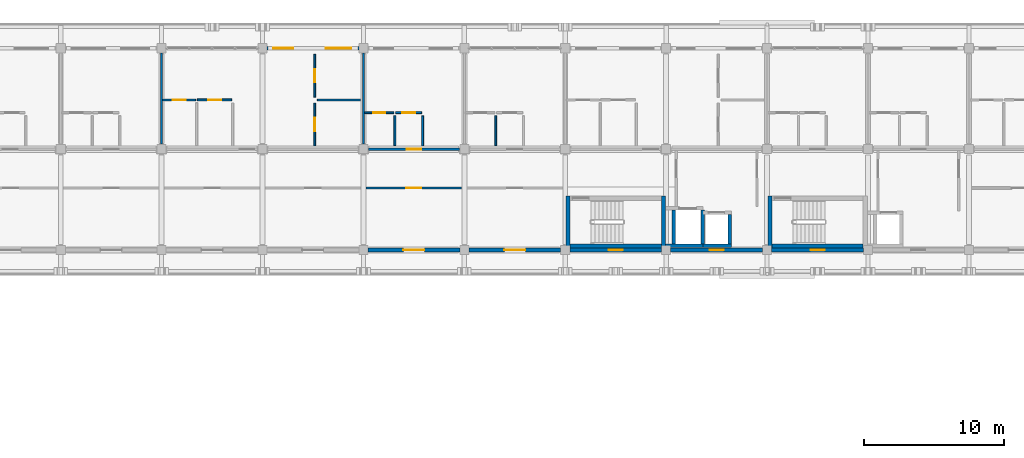
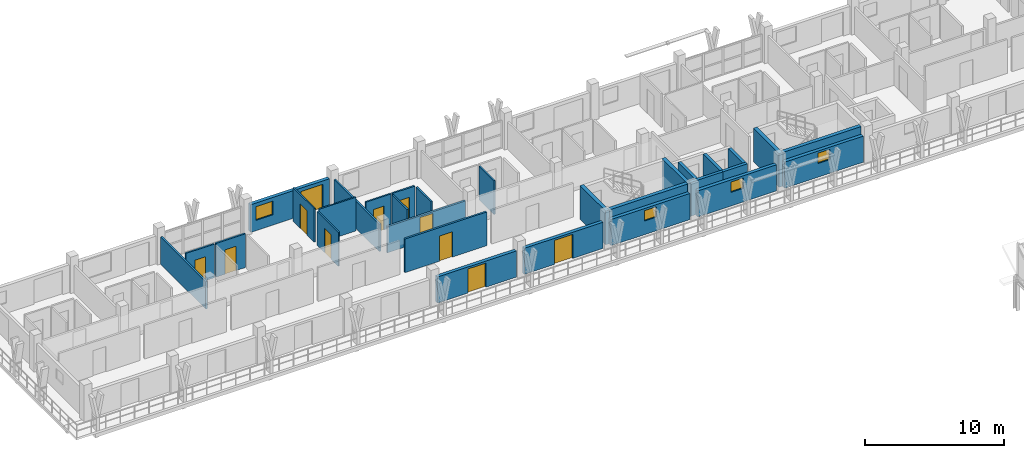
# One storey, part 121 of 157: 30 walls, 11 doors, 4 windows, 15 openings.
"""IFC4 building model written with IfcOpenShell, lengths in metres."""

from ifc_helpers import new_model, si_unit, direction, frame, frame_2d, origin, place, context, subcontext, project, spatial, rectangle, extrude, material, layer, layer_set, type_object, element, fill, save


model = new_model("IFC4")

# Units and contexts
model_context = context("Model", 3, precision=1e-05, world=origin(), true_north=direction((0.0, 1.0)))
body_context = subcontext(model_context, "Body", "Model", "MODEL_VIEW")
ifc_project = project(units=[si_unit("LENGTHUNIT", "METRE"), si_unit("AREAUNIT", "SQUARE_METRE"), si_unit("VOLUMEUNIT", "CUBIC_METRE"), si_unit("PLANEANGLEUNIT", "RADIAN"), si_unit("MASSUNIT", "GRAM", prefix="KILO")], contexts=[model_context])

# Site, building, storey
site_placement = place(None, origin())
site = spatial("IfcSite", under=ifc_project, at=site_placement, CompositionType="ELEMENT")
building_placement = place(site_placement, origin())
building = spatial("IfcBuilding", under=site, at=building_placement, Name="Suanplinth Sawtooth Commons", CompositionType="ELEMENT")
storey_placement = place(building_placement, frame((0.0, 0.0, 9.0)))
storey = spatial("IfcBuildingStorey", under=building, at=storey_placement, Name="L02", CompositionType="ELEMENT", Elevation=9.0)

# Walls
ifc_material_1 = material(Name="Concrete C40/50", Category="concrete")
ifc_layer_1 = layer(ifc_material_1, 0.300048828125, Name="Standard RC stair and lift core wall 300mm")
ifc_layer_set_1 = layer_set([ifc_layer_1], Name="Concrete C40/50")
wall_type_1 = type_object("IfcWallType", Name="W-CR02", PredefinedType="SHEAR", material=ifc_layer_set_1)
wall_1_placement = place(storey_placement, frame((43.550048828125, 108.300048828125, 0.0), z_axis=(0.0, 0.0, 1.0), x_axis=(1.0, 0.0, 0.0)))
element("IfcWall", 1, at=wall_1_placement, inside=storey, type_object=wall_type_1, Name="W-L02-C-A1-STS", PredefinedType="SHEAR", context=body_context, shape_type="SweptSolid", body=[
    extrude(rectangle(XDim=6.5, YDim=0.300048828125, at=frame_2d((3.25, 0.0))), origin(), (0.0, 0.0, 1.0), 2.9599609375),
])
for number, where, z_axis, x_axis, name in (
    (2, (43.39990234375, 108.14990234375, 0.0), (0.0, 0.0, 1.0), (0.0, 1.0, 0.0), "W-L02-C-A1-STW"),
    (3, (50.199951171875, 108.14990234375, 0.0), (0.0, 0.0, 1.0), (0.0, 1.0, 0.0), "W-L02-C-A1-STE"),
):
    element("IfcWall", number, at=place(storey_placement, frame(where, z_axis=z_axis, x_axis=x_axis)), inside=storey, type_object=wall_type_1, Name=name, PredefinedType="SHEAR", context=body_context, shape_type="SweptSolid", body=[
        extrude(rectangle(XDim=3.7001953125, YDim=0.300048828125, at=frame_2d((1.85009765625, 0.0))), origin(), (0.0, 0.0, 1.0), 2.9599609375),
    ])
wall_2_placement = place(storey_placement, frame((57.949951171875, 108.300048828125, 0.0), z_axis=(0.0, 0.0, 1.0), x_axis=(1.0, 0.0, 0.0)))
element("IfcWall", 4, at=wall_2_placement, inside=storey, type_object=wall_type_1, Name="W-L02-C-A2-STS", PredefinedType="SHEAR", context=body_context, shape_type="SweptSolid", body=[
    extrude(rectangle(XDim=6.5, YDim=0.300048828125, at=frame_2d((3.25, 0.0))), origin(), (0.0, 0.0, 1.0), 2.9599609375),
])
wall_3_placement = place(storey_placement, frame((57.800048828125, 108.14990234375, 0.0), z_axis=(0.0, 0.0, 1.0), x_axis=(0.0, 1.0, 0.0)))
element("IfcWall", 5, at=wall_3_placement, inside=storey, type_object=wall_type_1, Name="W-L02-C-A2-STW", PredefinedType="SHEAR", context=body_context, shape_type="SweptSolid", body=[
    extrude(rectangle(XDim=3.7001953125, YDim=0.300048828125, at=frame_2d((1.85009765625, 0.0))), origin(), (0.0, 0.0, 1.0), 2.9599609375),
])

# Wall, openings, door, window
ifc_material_2 = material(Name="Precast concrete C40/50", Category="concrete")
ifc_layer_2 = layer(ifc_material_2, 0.280029296875, Name="Insulated precast architectural facade wall 280mm")
ifc_layer_set_2 = layer_set([ifc_layer_2], Name="Precast concrete C40/50")
wall_type_2 = type_object("IfcWallType", Name="W-EX01", PredefinedType="ELEMENTEDWALL", material=ifc_layer_set_2)
wall_4_placement = place(storey_placement, frame((21.925048828125, 122.39990234375, 0.0), z_axis=(0.0, 0.0, 1.0), x_axis=(1.0, 0.0, 0.0)))
wall_4 = element("IfcWall", 6, at=wall_4_placement, inside=storey, type_object=wall_type_2, Name="Facade Wall W-L02-A-N-3", PredefinedType="ELEMENTEDWALL", context=body_context, shape_type="SweptSolid", body=[
    extrude(rectangle(XDim=6.550048828125, YDim=0.280029296875, at=frame_2d((3.27490234375, 0.0))), origin(), (0.0, 0.0, 1.0), 2.425048828125),
])
opening_1_placement = place(wall_4_placement, frame((4.199951171875, 0.0, 0.0)))
opening_1 = element("IfcOpeningElement", 7, at=opening_1_placement, cuts=wall_4, Name="Opening ED0134", PredefinedType="OPENING", context=body_context, shape_type="SweptSolid", body=[
    extrude(rectangle(XDim=1.800048828125, YDim=2.1201171875, at=frame_2d((0.89990234375, 1.06005859375))), frame((0.0, 0.15478515625, 0.0), z_axis=(0.0, -1.0, 0.0), x_axis=(1.0, 0.0, 0.0)), (0.0, 0.0, 1.0), 0.309814453125),
])
opening_2_placement = place(wall_4_placement, frame((0.449951171875, 0.0, 0.89990234375)))
opening_2 = element("IfcOpeningElement", 8, at=opening_2_placement, cuts=wall_4, Name="Opening W0252", PredefinedType="OPENING", context=body_context, shape_type="SweptSolid", body=[
    extrude(rectangle(XDim=1.39990234375, YDim=1.199951171875, at=frame_2d((0.699951171875, 0.60009765625))), frame((0.0, 0.15478515625, 0.0), z_axis=(0.0, -1.0, 0.0), x_axis=(1.0, 0.0, 0.0)), (0.0, 0.0, 1.0), 0.309814453125),
])
ifc_material_3 = material(Name="Anodized aluminium and low-E glass", Category="aluminium")
door_type_1 = type_object("IfcDoorType", Name="SD-01", OperationType="SLIDING_TO_LEFT", PredefinedType="DOOR", material=ifc_material_3)
door_1_placement = place(opening_1_placement, frame((1.800048828125, 0.0, 0.0), z_axis=(0.0, 0.0, 1.0), x_axis=(-1.0, 0.0, 0.0)))
door_1 = element("IfcDoor", 9, at=door_1_placement, inside=storey, type_object=door_type_1, Name="Balcony Sliding Door L02-A-N-3", OperationType="SLIDING_TO_LEFT", OverallHeight=2.1201171875, OverallWidth=1.800048828125, PredefinedType="DOOR", context=body_context, shape_type="SweptSolid", body=[
    extrude(rectangle(XDim=1.800048828125, YDim=2.1201171875, at=frame_2d((0.89990234375, 1.06005859375))), frame((0.0, 0.02490234375, 0.0), z_axis=(0.0, -1.0, 0.0), x_axis=(1.0, 0.0, 0.0)), (0.0, 0.0, 1.0), 0.050048828125),
])
fill(opening_1, door_1)
ifc_material_4 = material(Name="Thermally broken aluminium and low-E double glazing", Category="aluminium")
window_type_1 = type_object("IfcWindowType", Name="WN-10", PartitioningType="DOUBLE_PANEL_HORIZONTAL", PredefinedType="WINDOW", material=ifc_material_4)
window_1_placement = place(opening_2_placement, origin())
window_1 = element("IfcWindow", 10, at=window_1_placement, inside=storey, type_object=window_type_1, Name="Window L02-A-N-3", OverallHeight=1.199951171875, OverallWidth=1.39990234375, PartitioningType="DOUBLE_PANEL_HORIZONTAL", PredefinedType="WINDOW", context=body_context, shape_type="SweptSolid", body=[
    extrude(rectangle(XDim=1.39990234375, YDim=1.199951171875, at=frame_2d((0.699951171875, 0.60009765625))), frame((0.0, 0.030029296875, 0.0), z_axis=(0.0, -1.0, 0.0), x_axis=(1.0, 0.0, 0.0)), (0.0, 0.0, 1.0), 0.06005859375),
])
fill(opening_2, window_1)

# Wall, opening, door
wall_5_placement = place(storey_placement, frame((29.125, 108.0, 0.0), z_axis=(0.0, 0.0, 1.0), x_axis=(1.0, 0.0, 0.0)))
wall_5 = element("IfcWall", 11, at=wall_5_placement, inside=storey, type_object=wall_type_2, Name="Courtyard Wall W-L02-A-S-4", PredefinedType="ELEMENTEDWALL", context=body_context, shape_type="SweptSolid", body=[
    extrude(rectangle(XDim=6.550048828125, YDim=0.280029296875, at=frame_2d((3.27490234375, 0.0))), origin(), (0.0, 0.0, 1.0), 2.294921875),
])
opening_3_placement = place(wall_5_placement, frame((2.52490234375, 0.0, 0.0)))
opening_3 = element("IfcOpeningElement", 12, at=opening_3_placement, cuts=wall_5, Name="Opening ED0137", PredefinedType="OPENING", context=body_context, shape_type="SweptSolid", body=[
    extrude(rectangle(XDim=1.5, YDim=2.1201171875, at=frame_2d((0.75, 1.06005859375))), frame((0.0, 0.15478515625, 0.0), z_axis=(0.0, -1.0, 0.0), x_axis=(1.0, 0.0, 0.0)), (0.0, 0.0, 1.0), 0.309814453125),
])
door_type_2 = type_object("IfcDoorType", Name="SD-03", OperationType="SLIDING_TO_LEFT", PredefinedType="DOOR", material=ifc_material_3)
door_2_placement = place(opening_3_placement, frame((1.5, 0.0, 0.0), z_axis=(0.0, 0.0, 1.0), x_axis=(-1.0, 0.0, 0.0)))
door_2 = element("IfcDoor", 13, at=door_2_placement, inside=storey, type_object=door_type_2, Name="Courtyard Balcony Sliding Door L02-A-S-4", OperationType="SLIDING_TO_LEFT", OverallHeight=2.1201171875, OverallWidth=1.5, PredefinedType="DOOR", context=body_context, shape_type="SweptSolid", body=[
    extrude(rectangle(XDim=1.5, YDim=2.1201171875, at=frame_2d((0.75, 1.06005859375))), frame((0.0, 0.02490234375, 0.0), z_axis=(0.0, -1.0, 0.0), x_axis=(1.0, 0.0, 0.0)), (0.0, 0.0, 1.0), 0.050048828125),
])
fill(opening_3, door_2)

wall_6_placement = place(storey_placement, frame((36.324951171875, 108.0, 0.0), z_axis=(0.0, 0.0, 1.0), x_axis=(1.0, 0.0, 0.0)))
wall_6 = element("IfcWall", 14, at=wall_6_placement, inside=storey, type_object=wall_type_2, Name="Courtyard Wall W-L02-A-S-5", PredefinedType="ELEMENTEDWALL", context=body_context, shape_type="SweptSolid", body=[
    extrude(rectangle(XDim=6.550048828125, YDim=0.280029296875, at=frame_2d((3.27490234375, 0.0))), origin(), (0.0, 0.0, 1.0), 2.294921875),
])
opening_4_placement = place(wall_6_placement, frame((2.52490234375, 0.0, 0.0)))
opening_4 = element("IfcOpeningElement", 15, at=opening_4_placement, cuts=wall_6, Name="Opening ED0138", PredefinedType="OPENING", context=body_context, shape_type="SweptSolid", body=[
    extrude(rectangle(XDim=1.5, YDim=2.1201171875, at=frame_2d((0.75, 1.06005859375))), frame((0.0, 0.15478515625, 0.0), z_axis=(0.0, -1.0, 0.0), x_axis=(1.0, 0.0, 0.0)), (0.0, 0.0, 1.0), 0.309814453125),
])
door_3_placement = place(opening_4_placement, frame((1.5, 0.0, 0.0), z_axis=(0.0, 0.0, 1.0), x_axis=(-1.0, 0.0, 0.0)))
door_3 = element("IfcDoor", 16, at=door_3_placement, inside=storey, type_object=door_type_2, Name="Courtyard Balcony Sliding Door L02-A-S-5", OperationType="SLIDING_TO_LEFT", OverallHeight=2.1201171875, OverallWidth=1.5, PredefinedType="DOOR", context=body_context, shape_type="SweptSolid", body=[
    extrude(rectangle(XDim=1.5, YDim=2.1201171875, at=frame_2d((0.75, 1.06005859375))), frame((0.0, 0.02490234375, 0.0), z_axis=(0.0, -1.0, 0.0), x_axis=(1.0, 0.0, 0.0)), (0.0, 0.0, 1.0), 0.050048828125),
])
fill(opening_4, door_3)

# Wall, opening, window
wall_7_placement = place(storey_placement, frame((43.52490234375, 108.0, 0.0), z_axis=(0.0, 0.0, 1.0), x_axis=(1.0, 0.0, 0.0)))
wall_7 = element("IfcWall", 17, at=wall_7_placement, inside=storey, type_object=wall_type_2, Name="Courtyard Wall W-L02-A-S-6", PredefinedType="ELEMENTEDWALL", context=body_context, shape_type="SweptSolid", body=[
    extrude(rectangle(XDim=6.550048828125, YDim=0.280029296875, at=frame_2d((3.27490234375, 0.0))), origin(), (0.0, 0.0, 1.0), 2.294921875),
])
opening_5_placement = place(wall_7_placement, frame((2.77490234375, 0.0, 1.199951171875)))
opening_5 = element("IfcOpeningElement", 18, at=opening_5_placement, cuts=wall_7, Name="Opening W0255", PredefinedType="OPENING", context=body_context, shape_type="SweptSolid", body=[
    extrude(rectangle(XDim=1.0, YDim=0.89990234375, at=frame_2d((0.5, 0.449951171875))), frame((0.0, 0.15478515625, 0.0), z_axis=(0.0, -1.0, 0.0), x_axis=(1.0, 0.0, 0.0)), (0.0, 0.0, 1.0), 0.309814453125),
])
window_type_2 = type_object("IfcWindowType", Name="WN-12", PartitioningType="SINGLE_PANEL", PredefinedType="WINDOW", material=ifc_material_4)
window_2_placement = place(opening_5_placement, origin())
window_2 = element("IfcWindow", 19, at=window_2_placement, inside=storey, type_object=window_type_2, Name="Core Daylight Window L02-A-6", OverallHeight=0.89990234375, OverallWidth=1.0, PartitioningType="SINGLE_PANEL", PredefinedType="WINDOW", context=body_context, shape_type="SweptSolid", body=[
    extrude(rectangle(XDim=1.0, YDim=0.89990234375, at=frame_2d((0.5, 0.449951171875))), frame((0.0, 0.030029296875, 0.0), z_axis=(0.0, -1.0, 0.0), x_axis=(1.0, 0.0, 0.0)), (0.0, 0.0, 1.0), 0.06005859375),
])
fill(opening_5, window_2)

wall_8_placement = place(storey_placement, frame((50.72509765625, 108.0, 0.0), z_axis=(0.0, 0.0, 1.0), x_axis=(1.0, 0.0, 0.0)))
wall_8 = element("IfcWall", 20, at=wall_8_placement, inside=storey, type_object=wall_type_2, Name="Courtyard Wall W-L02-A-S-7", PredefinedType="ELEMENTEDWALL", context=body_context, shape_type="SweptSolid", body=[
    extrude(rectangle(XDim=6.5498046875, YDim=0.280029296875, at=frame_2d((3.27490234375, 0.0))), origin(), (0.0, 0.0, 1.0), 2.294921875),
])
opening_6_placement = place(wall_8_placement, frame((2.77490234375, 0.0, 1.199951171875)))
opening_6 = element("IfcOpeningElement", 21, at=opening_6_placement, cuts=wall_8, Name="Opening W0257", PredefinedType="OPENING", context=body_context, shape_type="SweptSolid", body=[
    extrude(rectangle(XDim=1.0, YDim=0.89990234375, at=frame_2d((0.5, 0.449951171875))), frame((0.0, 0.15478515625, 0.0), z_axis=(0.0, -1.0, 0.0), x_axis=(1.0, 0.0, 0.0)), (0.0, 0.0, 1.0), 0.309814453125),
])
window_3_placement = place(opening_6_placement, origin())
window_3 = element("IfcWindow", 22, at=window_3_placement, inside=storey, type_object=window_type_2, Name="Core Daylight Window L02-A-7", OverallHeight=0.89990234375, OverallWidth=1.0, PartitioningType="SINGLE_PANEL", PredefinedType="WINDOW", context=body_context, shape_type="SweptSolid", body=[
    extrude(rectangle(XDim=1.0, YDim=0.89990234375, at=frame_2d((0.5, 0.449951171875))), frame((0.0, 0.030029296875, 0.0), z_axis=(0.0, -1.0, 0.0), x_axis=(1.0, 0.0, 0.0)), (0.0, 0.0, 1.0), 0.06005859375),
])
fill(opening_6, window_3)

wall_9_placement = place(storey_placement, frame((57.925048828125, 108.0, 0.0), z_axis=(0.0, 0.0, 1.0), x_axis=(1.0, 0.0, 0.0)))
wall_9 = element("IfcWall", 23, at=wall_9_placement, inside=storey, type_object=wall_type_2, Name="Courtyard Wall W-L02-A-S-8", PredefinedType="ELEMENTEDWALL", context=body_context, shape_type="SweptSolid", body=[
    extrude(rectangle(XDim=6.550048828125, YDim=0.280029296875, at=frame_2d((3.27490234375, 0.0))), origin(), (0.0, 0.0, 1.0), 2.294921875),
])
opening_7_placement = place(wall_9_placement, frame((2.77490234375, 0.0, 1.199951171875)))
opening_7 = element("IfcOpeningElement", 24, at=opening_7_placement, cuts=wall_9, Name="Opening W0258", PredefinedType="OPENING", context=body_context, shape_type="SweptSolid", body=[
    extrude(rectangle(XDim=1.0, YDim=0.89990234375, at=frame_2d((0.5, 0.449951171875))), frame((0.0, 0.15478515625, 0.0), z_axis=(0.0, -1.0, 0.0), x_axis=(1.0, 0.0, 0.0)), (0.0, 0.0, 1.0), 0.309814453125),
])
window_4_placement = place(opening_7_placement, origin())
window_4 = element("IfcWindow", 25, at=window_4_placement, inside=storey, type_object=window_type_2, Name="Core Daylight Window L02-A-8", OverallHeight=0.89990234375, OverallWidth=1.0, PartitioningType="SINGLE_PANEL", PredefinedType="WINDOW", context=body_context, shape_type="SweptSolid", body=[
    extrude(rectangle(XDim=1.0, YDim=0.89990234375, at=frame_2d((0.5, 0.449951171875))), frame((0.0, 0.030029296875, 0.0), z_axis=(0.0, -1.0, 0.0), x_axis=(1.0, 0.0, 0.0)), (0.0, 0.0, 1.0), 0.06005859375),
])
fill(opening_7, window_4)

# Wall, opening, door
ifc_layer_3 = layer(ifc_material_2, 0.159912109375, Name="Fire-rated corridor and lobby wall 160mm")
ifc_layer_set_3 = layer_set([ifc_layer_3], Name="Precast concrete C40/50")
wall_type_3 = type_object("IfcWallType", Name="W-FW01", PredefinedType="PARTITIONING", material=ifc_layer_set_3)
wall_10_placement = place(storey_placement, frame((29.155029296875, 115.199951171875, 0.0), z_axis=(0.0, 0.0, 1.0), x_axis=(1.0, 0.0, 0.0)))
wall_10 = element("IfcWall", 26, at=wall_10_placement, inside=storey, type_object=wall_type_3, Name="W-A-L02-U04-COR", PredefinedType="PARTITIONING", context=body_context, shape_type="SweptSolid", body=[
    extrude(rectangle(XDim=6.489990234375, YDim=0.159912109375, at=frame_2d((3.2451171875, 0.0))), origin(), (0.0, 0.0, 1.0), 2.294921875),
])
opening_8_placement = place(wall_10_placement, frame((2.719970703125, 0.0, 0.0)))
opening_8 = element("IfcOpeningElement", 27, at=opening_8_placement, cuts=wall_10, Name="Opening FD0699", PredefinedType="OPENING", context=body_context, shape_type="SweptSolid", body=[
    extrude(rectangle(XDim=1.050048828125, YDim=2.14990234375, at=frame_2d((0.52490234375, 1.074951171875))), frame((0.0, 0.0947265625, 0.0), z_axis=(0.0, -1.0, 0.0), x_axis=(1.0, 0.0, 0.0)), (0.0, 0.0, 1.0), 0.189697265625),
])
ifc_material_5 = material(Name="Teak hardwood fire-rated door assembly", Category="wood")
door_type_3 = type_object("IfcDoorType", Name="FD-04", OperationType="NOTDEFINED", PredefinedType="DOOR", material=ifc_material_5)
door_4_placement = place(opening_8_placement, origin())
door_4 = element("IfcDoor", 28, at=door_4_placement, inside=storey, type_object=door_type_3, Name="Unit Entrance Door FD0699", OperationType="SINGLE_SWING_LEFT", OverallHeight=2.14990234375, OverallWidth=1.050048828125, PredefinedType="DOOR", context=body_context, shape_type="SweptSolid", body=[
    extrude(rectangle(XDim=1.050048828125, YDim=2.14990234375, at=frame_2d((0.52490234375, 1.074951171875))), frame((0.0, 0.02490234375, 0.0), z_axis=(0.0, -1.0, 0.0), x_axis=(1.0, 0.0, 0.0)), (0.0, 0.0, 1.0), 0.050048828125),
])
fill(opening_8, door_4)

wall_11_placement = place(storey_placement, frame((29.0, 112.419921875, 0.0), z_axis=(0.0, 0.0, 1.0), x_axis=(1.0, 0.0, 0.0)))
wall_11 = element("IfcWall", 29, at=wall_11_placement, inside=storey, type_object=wall_type_3, Name="W-A-L02-COURTROOM-17-COR", PredefinedType="PARTITIONING", context=body_context, shape_type="SweptSolid", body=[
    extrude(rectangle(XDim=6.800048828125, YDim=0.159912109375, at=frame_2d((3.39990234375, 0.0))), origin(), (0.0, 0.0, 1.0), 2.9599609375),
])
opening_9_placement = place(wall_11_placement, frame((2.860107421875, 0.0, 0.0)))
opening_9 = element("IfcOpeningElement", 30, at=opening_9_placement, cuts=wall_11, Name="Opening D0737", PredefinedType="OPENING", context=body_context, shape_type="SweptSolid", body=[
    extrude(rectangle(XDim=1.080078125, YDim=2.219970703125, at=frame_2d((0.5400390625, 1.10986328125))), frame((0.0, 0.0947265625, 0.0), z_axis=(0.0, -1.0, 0.0), x_axis=(1.0, 0.0, 0.0)), (0.0, 0.0, 1.0), 0.189697265625),
])
ifc_material_6 = material(Name="Teak hardwood", Category="wood")
door_type_4 = type_object("IfcDoorType", Name="D-17", OperationType="NOTDEFINED", PredefinedType="DOOR", material=ifc_material_6)
door_5_placement = place(opening_9_placement, frame((1.080078125, 0.0, 0.0), z_axis=(0.0, 0.0, 1.0), x_axis=(-1.0, 0.0, 0.0)))
door_5 = element("IfcDoor", 31, at=door_5_placement, inside=storey, type_object=door_type_4, Name="Study Studio Door D0737", OperationType="SINGLE_SWING_LEFT", OverallHeight=2.219970703125, OverallWidth=1.080078125, PredefinedType="DOOR", context=body_context, shape_type="SweptSolid", body=[
    extrude(rectangle(XDim=1.080078125, YDim=2.219970703125, at=frame_2d((0.5400390625, 1.10986328125))), frame((0.0, 0.02490234375, 0.0), z_axis=(0.0, -1.0, 0.0), x_axis=(1.0, 0.0, 0.0)), (0.0, 0.0, 1.0), 0.050048828125),
])
fill(opening_9, door_5)

# Walls
ifc_layer_4 = layer(ifc_material_2, 0.14990234375, Name="Acoustic precast party demising wall 150mm")
ifc_layer_set_4 = layer_set([ifc_layer_4], Name="Precast concrete C40/50")
wall_type_4 = type_object("IfcWallType", Name="W-FW02", PredefinedType="PARTITIONING", material=ifc_layer_set_4)
for number, where, z_axis, x_axis, name in (
    (32, (14.39990234375, 115.554931640625, 0.0), (0.0, 0.0, 1.0), (0.0, 1.0, 0.0), "W-A-L02-U02-PTY"),
    (33, (28.800048828125, 115.554931640625, 0.0), (0.0, 0.0, 1.0), (0.0, 1.0, 0.0), "W-A-L02-U03-PTY"),
):
    element("IfcWall", number, at=place(storey_placement, frame(where, z_axis=z_axis, x_axis=x_axis)), inside=storey, type_object=wall_type_4, Name=name, PredefinedType="PARTITIONING", context=body_context, shape_type="SweptSolid", body=[
        extrude(rectangle(XDim=6.489990234375, YDim=0.14990234375, at=frame_2d((3.2451171875, 0.0))), origin(), (0.0, 0.0, 1.0), 2.39501953125),
    ])

# Wall, opening, door
ifc_material_7 = material(Name="Gypsum plasterboard on steel stud", Category="steel")
ifc_layer_5 = layer(ifc_material_7, 0.139892578125, Name="Fire-rated kitchen partition 140mm")
ifc_layer_set_5 = layer_set([ifc_layer_5], Name="Gypsum plasterboard on steel stud")
wall_type_5 = type_object("IfcWallType", Name="W-PT01", PredefinedType="PARTITIONING", material=ifc_layer_set_5)
wall_12_placement = place(storey_placement, frame((16.949951171875, 118.7099609375, 0.0), z_axis=(0.0, 0.0, 1.0), x_axis=(1.0, 0.0, 0.0)))
wall_12 = element("IfcWall", 34, at=wall_12_placement, inside=storey, type_object=wall_type_5, Name="W-A-L02-U03-KIT1", PredefinedType="PARTITIONING", context=body_context, shape_type="SweptSolid", body=[
    extrude(rectangle(XDim=2.449951171875, YDim=0.139892578125, at=frame_2d((1.22509765625, 0.0))), origin(), (0.0, 0.0, 1.0), 2.9599609375),
])
opening_10_placement = place(wall_12_placement, frame((0.760009765625, 0.0, 0.0)))
opening_10 = element("IfcOpeningElement", 35, at=opening_10_placement, cuts=wall_12, Name="Opening D0696", PredefinedType="OPENING", context=body_context, shape_type="SweptSolid", body=[
    extrude(rectangle(XDim=0.929931640625, YDim=2.139892578125, at=frame_2d((0.46484375, 1.06982421875))), frame((0.0, 0.0849609375, 0.0), z_axis=(0.0, -1.0, 0.0), x_axis=(1.0, 0.0, 0.0)), (0.0, 0.0, 1.0), 0.169677734375),
])
door_type_5 = type_object("IfcDoorType", Name="D-19", OperationType="NOTDEFINED", PredefinedType="DOOR", material=ifc_material_6)
door_6_placement = place(opening_10_placement, frame((0.929931640625, 0.0, 0.0), z_axis=(0.0, 0.0, 1.0), x_axis=(-1.0, 0.0, 0.0)))
door_6 = element("IfcDoor", 36, at=door_6_placement, inside=storey, type_object=door_type_5, Name="Kitchen Door D0696", OperationType="SINGLE_SWING_RIGHT", OverallHeight=2.139892578125, OverallWidth=0.929931640625, PredefinedType="DOOR", context=body_context, shape_type="SweptSolid", body=[
    extrude(rectangle(XDim=0.929931640625, YDim=2.139892578125, at=frame_2d((0.46484375, 1.06982421875))), frame((0.0, 0.02490234375, 0.0), z_axis=(0.0, -1.0, 0.0), x_axis=(1.0, 0.0, 0.0)), (0.0, 0.0, 1.0), 0.050048828125),
])
fill(opening_10, door_6)

wall_13_placement = place(storey_placement, frame((31.10009765625, 117.800048828125, 0.0), z_axis=(0.0, 0.0, 1.0), x_axis=(1.0, 0.0, 0.0)))
wall_13 = element("IfcWall", 37, at=wall_13_placement, inside=storey, type_object=wall_type_5, Name="W-A-L02-U04-KIT1", PredefinedType="PARTITIONING", context=body_context, shape_type="SweptSolid", body=[
    extrude(rectangle(XDim=1.849853515625, YDim=0.139892578125, at=frame_2d((0.9248046875, 0.0))), origin(), (0.0, 0.0, 1.0), 2.9599609375),
])
opening_11_placement = place(wall_13_placement, frame((0.4599609375, 0.0, 0.0)))
opening_11 = element("IfcOpeningElement", 38, at=opening_11_placement, cuts=wall_13, Name="Opening D0701", PredefinedType="OPENING", context=body_context, shape_type="SweptSolid", body=[
    extrude(rectangle(XDim=0.929931640625, YDim=2.139892578125, at=frame_2d((0.46484375, 1.06982421875))), frame((0.0, 0.0849609375, 0.0), z_axis=(0.0, -1.0, 0.0), x_axis=(1.0, 0.0, 0.0)), (0.0, 0.0, 1.0), 0.169677734375),
])
door_7_placement = place(opening_11_placement, frame((0.929931640625, 0.0, 0.0), z_axis=(0.0, 0.0, 1.0), x_axis=(-1.0, 0.0, 0.0)))
door_7 = element("IfcDoor", 39, at=door_7_placement, inside=storey, type_object=door_type_5, Name="Kitchen Door D0701", OperationType="SINGLE_SWING_LEFT", OverallHeight=2.139892578125, OverallWidth=0.929931640625, PredefinedType="DOOR", context=body_context, shape_type="SweptSolid", body=[
    extrude(rectangle(XDim=0.929931640625, YDim=2.139892578125, at=frame_2d((0.46484375, 1.06982421875))), frame((0.0, 0.02490234375, 0.0), z_axis=(0.0, -1.0, 0.0), x_axis=(1.0, 0.0, 0.0)), (0.0, 0.0, 1.0), 0.050048828125),
])
fill(opening_11, door_7)

# Wall
wall_14_placement = place(storey_placement, frame((33.02001953125, 115.429931640625, 0.0), z_axis=(0.0, 0.0, 1.0), x_axis=(0.0, 1.0, 0.0)))
element("IfcWall", 40, at=wall_14_placement, inside=storey, type_object=wall_type_5, Name="W-A-L02-U04-KIT2", PredefinedType="PARTITIONING", context=body_context, shape_type="SweptSolid", body=[
    extrude(rectangle(XDim=2.150146484375, YDim=0.139892578125, at=frame_2d((1.0751953125, 0.0))), origin(), (0.0, 0.0, 1.0), 2.9599609375),
])

# Wall, opening, door
ifc_layer_6 = layer(ifc_material_7, 0.1298828125, Name="Moisture-resistant bathroom partition 130mm")
ifc_layer_set_6 = layer_set([ifc_layer_6], Name="Gypsum plasterboard on steel stud")
wall_type_6 = type_object("IfcWallType", Name="W-PT02", PredefinedType="PARTITIONING", material=ifc_layer_set_6)
wall_15_placement = place(storey_placement, frame((14.47998046875, 118.705078125, 0.0), z_axis=(0.0, 0.0, 1.0), x_axis=(1.0, 0.0, 0.0)))
wall_15 = element("IfcWall", 41, at=wall_15_placement, inside=storey, type_object=wall_type_6, Name="W-A-L02-U03-BTH1", PredefinedType="PARTITIONING", context=body_context, shape_type="SweptSolid", body=[
    extrude(rectangle(XDim=2.35009765625, YDim=0.1298828125, at=frame_2d((1.175048828125, 0.0))), origin(), (0.0, 0.0, 1.0), 2.9599609375),
])
opening_12_placement = place(wall_15_placement, frame((0.72509765625, 0.0, 0.0)))
opening_12 = element("IfcOpeningElement", 42, at=opening_12_placement, cuts=wall_15, Name="Opening D0695", PredefinedType="OPENING", context=body_context, shape_type="SweptSolid", body=[
    extrude(rectangle(XDim=0.89990234375, YDim=2.10009765625, at=frame_2d((0.449951171875, 1.050048828125))), frame((0.0, 0.079833984375, 0.0), z_axis=(0.0, -1.0, 0.0), x_axis=(1.0, 0.0, 0.0)), (0.0, 0.0, 1.0), 0.15966796875),
])
door_type_6 = type_object("IfcDoorType", Name="D-01", OperationType="NOTDEFINED", PredefinedType="DOOR", material=ifc_material_6)
door_8_placement = place(opening_12_placement, frame((0.89990234375, 0.0, 0.0), z_axis=(0.0, 0.0, 1.0), x_axis=(-1.0, 0.0, 0.0)))
door_8 = element("IfcDoor", 43, at=door_8_placement, inside=storey, type_object=door_type_6, Name="Bathroom Door D0695", OperationType="SINGLE_SWING_LEFT", OverallHeight=2.10009765625, OverallWidth=0.89990234375, PredefinedType="DOOR", context=body_context, shape_type="SweptSolid", body=[
    extrude(rectangle(XDim=0.89990234375, YDim=2.10009765625, at=frame_2d((0.449951171875, 1.050048828125))), frame((0.0, 0.02490234375, 0.0), z_axis=(0.0, -1.0, 0.0), x_axis=(1.0, 0.0, 0.0)), (0.0, 0.0, 1.0), 0.050048828125),
])
fill(opening_12, door_8)

wall_16_placement = place(storey_placement, frame((28.8798828125, 117.794921875, 0.0), z_axis=(0.0, 0.0, 1.0), x_axis=(1.0, 0.0, 0.0)))
wall_16 = element("IfcWall", 44, at=wall_16_placement, inside=storey, type_object=wall_type_6, Name="W-A-L02-U04-BTH1", PredefinedType="PARTITIONING", context=body_context, shape_type="SweptSolid", body=[
    extrude(rectangle(XDim=2.10009765625, YDim=0.1298828125, at=frame_2d((1.050048828125, 0.0))), origin(), (0.0, 0.0, 1.0), 2.9599609375),
])
opening_13_placement = place(wall_16_placement, frame((0.610107421875, 0.0, 0.0)))
opening_13 = element("IfcOpeningElement", 45, at=opening_13_placement, cuts=wall_16, Name="Opening D0700", PredefinedType="OPENING", context=body_context, shape_type="SweptSolid", body=[
    extrude(rectangle(XDim=0.8798828125, YDim=2.10009765625, at=frame_2d((0.43994140625, 1.050048828125))), frame((0.0, 0.079833984375, 0.0), z_axis=(0.0, -1.0, 0.0), x_axis=(1.0, 0.0, 0.0)), (0.0, 0.0, 1.0), 0.15966796875),
])
door_type_7 = type_object("IfcDoorType", Name="D-14", OperationType="NOTDEFINED", PredefinedType="DOOR", material=ifc_material_6)
door_9_placement = place(opening_13_placement, frame((0.8798828125, 0.0, 0.0), z_axis=(0.0, 0.0, 1.0), x_axis=(-1.0, 0.0, 0.0)))
door_9 = element("IfcDoor", 46, at=door_9_placement, inside=storey, type_object=door_type_7, Name="Bathroom Door D0700", OperationType="SINGLE_SWING_RIGHT", OverallHeight=2.10009765625, OverallWidth=0.8798828125, PredefinedType="DOOR", context=body_context, shape_type="SweptSolid", body=[
    extrude(rectangle(XDim=0.8798828125, YDim=2.10009765625, at=frame_2d((0.43994140625, 1.050048828125))), frame((0.0, 0.02490234375, 0.0), z_axis=(0.0, -1.0, 0.0), x_axis=(1.0, 0.0, 0.0)), (0.0, 0.0, 1.0), 0.050048828125),
])
fill(opening_13, door_9)

# Walls
for number, where, z_axis, x_axis, name in (
    (47, (31.044921875, 115.4599609375, 0.0), (0.0, 0.0, 1.0), (0.0, 1.0, 0.0), "W-A-L02-U04-BTH2"),
    (48, (38.2451171875, 115.4599609375, 0.0), (0.0, 0.0, 1.0), (0.0, 1.0, 0.0), "W-A-L02-U05-BTH2"),
):
    element("IfcWall", number, at=place(storey_placement, frame(where, z_axis=z_axis, x_axis=x_axis)), inside=storey, type_object=wall_type_6, Name=name, PredefinedType="PARTITIONING", context=body_context, shape_type="SweptSolid", body=[
        extrude(rectangle(XDim=2.130126953125, YDim=0.1298828125, at=frame_2d((1.06494140625, 0.0))), origin(), (0.0, 0.0, 1.0), 2.9599609375),
    ])

# Wall, opening, door
ifc_layer_7 = layer(ifc_material_7, 0.1201171875, Name="Acoustic bedroom partition 120mm")
ifc_layer_set_7 = layer_set([ifc_layer_7], Name="Gypsum plasterboard on steel stud")
wall_type_7 = type_object("IfcWallType", Name="W-PT03", PredefinedType="PARTITIONING", material=ifc_layer_set_7)
wall_17_placement = place(storey_placement, frame((25.320068359375, 118.919921875, 0.0), z_axis=(0.0, 0.0, 1.0), x_axis=(0.0, 1.0, 0.0)))
wall_17 = element("IfcWall", 49, at=wall_17_placement, inside=storey, type_object=wall_type_7, Name="W-A-L02-U03-BED1", PredefinedType="PARTITIONING", context=body_context, shape_type="SweptSolid", body=[
    extrude(rectangle(XDim=3.0400390625, YDim=0.1201171875, at=frame_2d((1.52001953125, 0.0))), origin(), (0.0, 0.0, 1.0), 2.9599609375),
])
opening_14_placement = place(wall_17_placement, frame((1.044921875, 0.0, 0.0)))
opening_14 = element("IfcOpeningElement", 50, at=opening_14_placement, cuts=wall_17, Name="Opening D0697", PredefinedType="OPENING", context=body_context, shape_type="SweptSolid", body=[
    extrude(rectangle(XDim=0.949951171875, YDim=2.14990234375, at=frame_2d((0.47509765625, 1.074951171875))), frame((0.0, 0.074951171875, 0.0), z_axis=(0.0, -1.0, 0.0), x_axis=(1.0, 0.0, 0.0)), (0.0, 0.0, 1.0), 0.14990234375),
])
door_type_8 = type_object("IfcDoorType", Name="D-03", OperationType="NOTDEFINED", PredefinedType="DOOR", material=ifc_material_6)
door_10_placement = place(opening_14_placement, frame((0.949951171875, 0.0, 0.0), z_axis=(0.0, 0.0, 1.0), x_axis=(-1.0, 0.0, 0.0)))
door_10 = element("IfcDoor", 51, at=door_10_placement, inside=storey, type_object=door_type_8, Name="Bedroom Door D0697", OperationType="SINGLE_SWING_LEFT", OverallHeight=2.14990234375, OverallWidth=0.949951171875, PredefinedType="DOOR", context=body_context, shape_type="SweptSolid", body=[
    extrude(rectangle(XDim=0.949951171875, YDim=2.14990234375, at=frame_2d((0.47509765625, 1.074951171875))), frame((0.0, 0.02490234375, 0.0), z_axis=(0.0, -1.0, 0.0), x_axis=(1.0, 0.0, 0.0)), (0.0, 0.0, 1.0), 0.050048828125),
])
fill(opening_14, door_10)

wall_18_placement = place(storey_placement, frame((25.320068359375, 115.43994140625, 0.0), z_axis=(0.0, 0.0, 1.0), x_axis=(0.0, 1.0, 0.0)))
wall_18 = element("IfcWall", 52, at=wall_18_placement, inside=storey, type_object=wall_type_7, Name="W-A-L02-U03-BED2", PredefinedType="PARTITIONING", context=body_context, shape_type="SweptSolid", body=[
    extrude(rectangle(XDim=3.0400390625, YDim=0.1201171875, at=frame_2d((1.52001953125, 0.0))), origin(), (0.0, 0.0, 1.0), 2.9599609375),
])
opening_15_placement = place(wall_18_placement, frame((1.0400390625, 0.0, 0.0)))
opening_15 = element("IfcOpeningElement", 53, at=opening_15_placement, cuts=wall_18, Name="Opening D0698", PredefinedType="OPENING", context=body_context, shape_type="SweptSolid", body=[
    extrude(rectangle(XDim=0.9599609375, YDim=2.14990234375, at=frame_2d((0.47998046875, 1.074951171875))), frame((0.0, 0.074951171875, 0.0), z_axis=(0.0, -1.0, 0.0), x_axis=(1.0, 0.0, 0.0)), (0.0, 0.0, 1.0), 0.14990234375),
])
door_type_9 = type_object("IfcDoorType", Name="D-13", OperationType="NOTDEFINED", PredefinedType="DOOR", material=ifc_material_6)
door_11_placement = place(opening_15_placement, frame((0.9599609375, 0.0, 0.0), z_axis=(0.0, 0.0, 1.0), x_axis=(-1.0, 0.0, 0.0)))
door_11 = element("IfcDoor", 54, at=door_11_placement, inside=storey, type_object=door_type_9, Name="Second Bedroom Door D0698", OperationType="SINGLE_SWING_RIGHT", OverallHeight=2.14990234375, OverallWidth=0.9599609375, PredefinedType="DOOR", context=body_context, shape_type="SweptSolid", body=[
    extrude(rectangle(XDim=0.9599609375, YDim=2.14990234375, at=frame_2d((0.47998046875, 1.074951171875))), frame((0.0, 0.02490234375, 0.0), z_axis=(0.0, -1.0, 0.0), x_axis=(1.0, 0.0, 0.0)), (0.0, 0.0, 1.0), 0.050048828125),
])
fill(opening_15, door_11)

# Walls
ifc_layer_8 = layer(ifc_material_7, 0.125, Name="Acoustic study partition 125mm")
ifc_layer_set_8 = layer_set([ifc_layer_8], Name="Gypsum plasterboard on steel stud")
wall_type_8 = type_object("IfcWallType", Name="W-PT06", PredefinedType="PARTITIONING", material=ifc_layer_set_8)
wall_19_placement = place(storey_placement, frame((25.52001953125, 118.699951171875, 0.0), z_axis=(0.0, 0.0, 1.0), x_axis=(1.0, 0.0, 0.0)))
element("IfcWall", 55, at=wall_19_placement, inside=storey, type_object=wall_type_8, Name="W-A-L02-U03-BEDDIV", PredefinedType="PARTITIONING", context=body_context, shape_type="SweptSolid", body=[
    extrude(rectangle(XDim=3.06005859375, YDim=0.125, at=frame_2d((1.530029296875, 0.0))), origin(), (0.0, 0.0, 1.0), 2.9599609375),
])
ifc_layer_9 = layer(ifc_material_2, 0.25, Name="Precast structural shear wall 250mm")
ifc_layer_set_9 = layer_set([ifc_layer_9], Name="Precast concrete C40/50")
wall_type_9 = type_object("IfcWallType", Name="W-SH01", PredefinedType="SHEAR", material=ifc_layer_set_9)
wall_20_placement = place(storey_placement, frame((50.35009765625, 108.324951171875, 0.0), z_axis=(0.0, 0.0, 1.0), x_axis=(1.0, 0.0, 0.0)))
element("IfcWall", 56, at=wall_20_placement, inside=storey, type_object=wall_type_9, Name="W-L02-FL1-S", PredefinedType="SHEAR", context=body_context, shape_type="SweptSolid", body=[
    extrude(rectangle(XDim=2.6748046875, YDim=0.25, at=frame_2d((1.33740234375, 0.0))), origin(), (0.0, 0.0, 1.0), 2.9599609375),
])
for number, where, z_axis, x_axis, name in (
    (57, (50.925048828125, 108.449951171875, 0.0), (0.0, 0.0, 1.0), (0.0, 1.0, 0.0), "W-L02-FL1-W"),
    (58, (53.02490234375, 108.449951171875, 0.0), (0.0, 0.0, 1.0), (0.0, 1.0, 0.0), "W-L02-FL1-DIV"),
):
    element("IfcWall", number, at=place(storey_placement, frame(where, z_axis=z_axis, x_axis=x_axis)), inside=storey, type_object=wall_type_9, Name=name, PredefinedType="SHEAR", context=body_context, shape_type="SweptSolid", body=[
        extrude(rectangle(XDim=2.400146484375, YDim=0.25, at=frame_2d((1.2001953125, 0.0))), origin(), (0.0, 0.0, 1.0), 2.9599609375),
    ])
wall_21_placement = place(storey_placement, frame((53.02490234375, 108.324951171875, 0.0), z_axis=(0.0, 0.0, 1.0), x_axis=(1.0, 0.0, 0.0)))
element("IfcWall", 59, at=wall_21_placement, inside=storey, type_object=wall_type_9, Name="W-L02-LF1-S", PredefinedType="SHEAR", context=body_context, shape_type="SweptSolid", body=[
    extrude(rectangle(XDim=2.025146484375, YDim=0.25, at=frame_2d((1.0126953125, 0.0))), origin(), (0.0, 0.0, 1.0), 2.9599609375),
])
wall_22_placement = place(storey_placement, frame((54.925048828125, 108.449951171875, 0.0), z_axis=(0.0, 0.0, 1.0), x_axis=(0.0, 1.0, 0.0)))
element("IfcWall", 60, at=wall_22_placement, inside=storey, type_object=wall_type_9, Name="W-L02-LF1-E", PredefinedType="SHEAR", context=body_context, shape_type="SweptSolid", body=[
    extrude(rectangle(XDim=2.10009765625, YDim=0.25, at=frame_2d((1.050048828125, 0.0))), origin(), (0.0, 0.0, 1.0), 2.9599609375),
])

save(model, "model.ifc")
